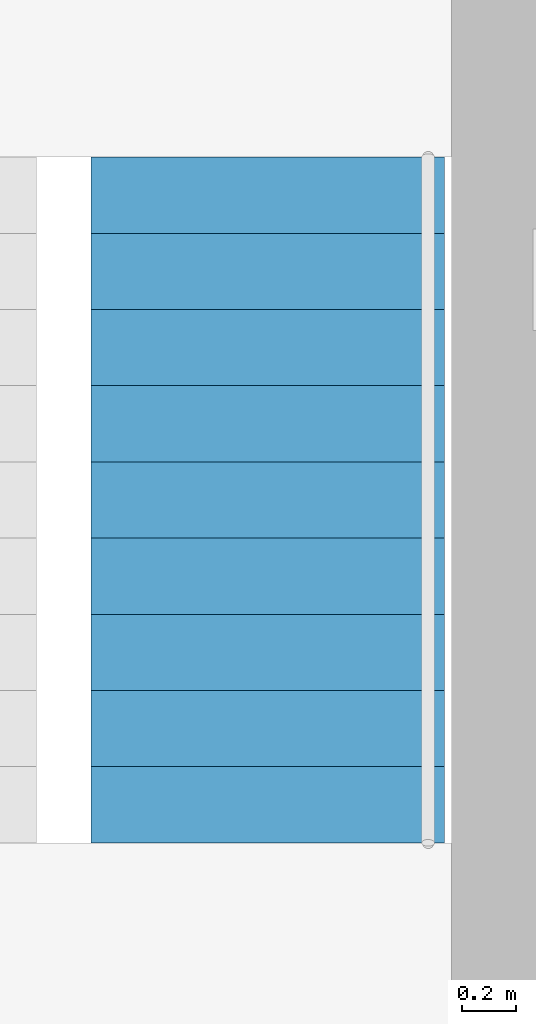
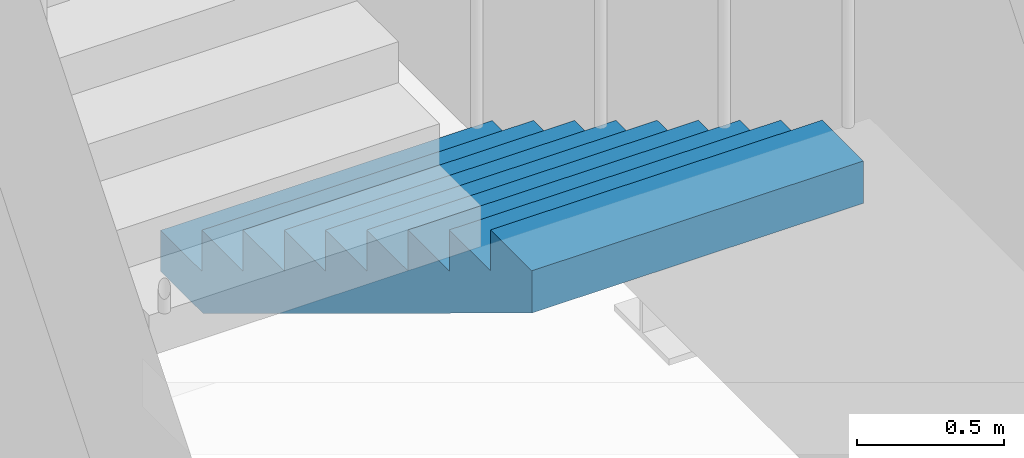
# One storey, part 14 of 17: 1 stair flight, 1 element without a shape of its own.
"""IFC4 building model written with IfcOpenShell, lengths in metres."""

from ifc_helpers import new_model, si_unit, direction, frame, origin, place, context, subcontext, project, spatial, polyline, outline, extrude, material, type_object, element, aggregate, save


model = new_model("IFC4")

# Units and contexts
model_context = context("Model", 3, precision=1e-05, world=origin(), true_north=direction((0.0, 1.0)))
body_context = subcontext(model_context, "Body", "Model", "MODEL_VIEW")
ifc_project = project(units=[si_unit("LENGTHUNIT", "METRE"), si_unit("AREAUNIT", "SQUARE_METRE"), si_unit("VOLUMEUNIT", "CUBIC_METRE"), si_unit("PLANEANGLEUNIT", "RADIAN"), si_unit("MASSUNIT", "GRAM", prefix="KILO")], contexts=[model_context])

# Site, building, storey
site_placement = place(None, origin())
site = spatial("IfcSite", under=ifc_project, at=site_placement, CompositionType="ELEMENT")
building_placement = place(site_placement, origin())
building = spatial("IfcBuilding", under=site, at=building_placement, Name="Loomwork Tower", CompositionType="ELEMENT")
storey_placement = place(building_placement, frame((0.0, 0.0, 145.199951171875)))
storey = spatial("IfcBuildingStorey", under=building, at=storey_placement, Name="L39", CompositionType="ELEMENT", Elevation=145.199951171875)

# Stair, stair flight
ifc_material_1 = material(Name="Concrete 5000 psi (34 MPa) precast stair", Category="concrete")
stair_type = type_object("IfcStairType", Name="Stair ST-B 20 risers 2850 wide", PredefinedType="HALF_TURN_STAIR", material=ifc_material_1)
stair_placement = place(storey_placement, origin())
stair = element("IfcStair", 1, at=stair_placement, inside=storey, type_object=stair_type, Name="Stair B L39", PredefinedType="HALF_TURN_STAIR")
ifc_material_2 = material(Name="Concrete 5000 psi (34 MPa) precast stair", Category="concrete")
stair_flight_type = type_object("IfcStairFlightType", Name="Stair flight ST-B 10 risers 1300 wide", PredefinedType="STRAIGHT", material=ifc_material_2)
stair_flight_placement = place(storey_placement, frame((32.925048828125, 18.449951171875, 0.0), z_axis=(0.0, 0.0, 1.0), x_axis=(0.0, -1.0, 0.0)))
stair_flight = element("IfcStairFlight", 2, at=stair_flight_placement, type_object=stair_flight_type, Name="ST-B flight 1", NumberOfRisers=10, NumberOfTreads=9, PredefinedType="STRAIGHT", RiserHeight=0.17, TreadLength=0.28, context=body_context, shape_type="SweptSolid", body=[
    extrude(outline(polyline([(0.0, 0.0), (0.0, 0.169921875), (0.280029296875, 0.169921875), (0.280029296875, 0.340087890625), (0.56005859375, 0.340087890625), (0.56005859375, 0.510009765625), (0.840087890625, 0.510009765625), (0.840087890625, 0.679931640625), (1.1201171875, 0.679931640625), (1.1201171875, 0.85009765625), (1.39990234375, 0.85009765625), (1.39990234375, 1.02001953125), (1.679931640625, 1.02001953125), (1.679931640625, 1.18994140625), (1.9599609375, 1.18994140625), (1.9599609375, 1.360107421875), (2.239990234375, 1.360107421875), (2.239990234375, 1.530029296875), (2.52001953125, 1.530029296875), (2.52001953125, 1.699951171875), (2.52001953125, 1.354736328125), (0.288818359375, 0.0), (0.0, 0.0)])), frame((0.0, 0.64990234375, 0.0), z_axis=(0.0, -1.0, 0.0), x_axis=(1.0, 0.0, 0.0)), (0.0, 0.0, 1.0), 1.300048828125),
])
aggregate(stair, [stair_flight])

save(model, "model.ifc")
